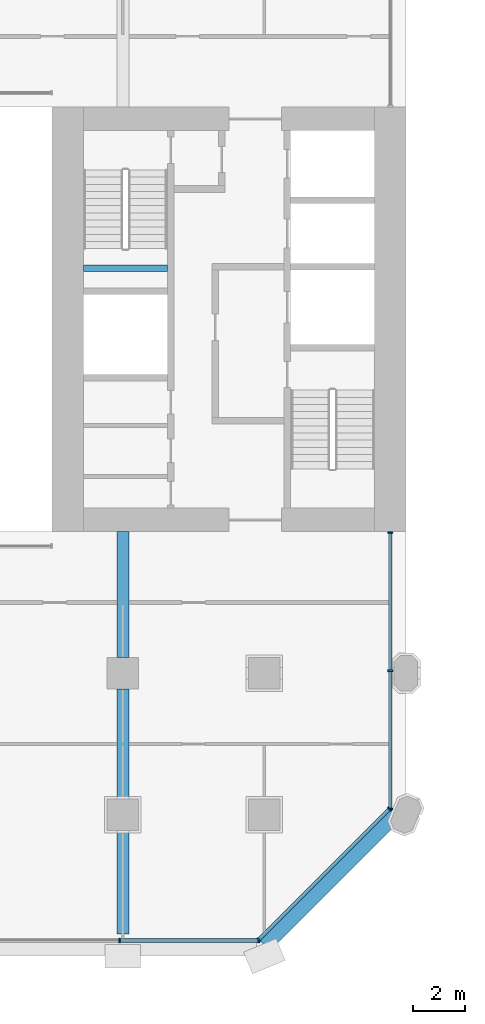
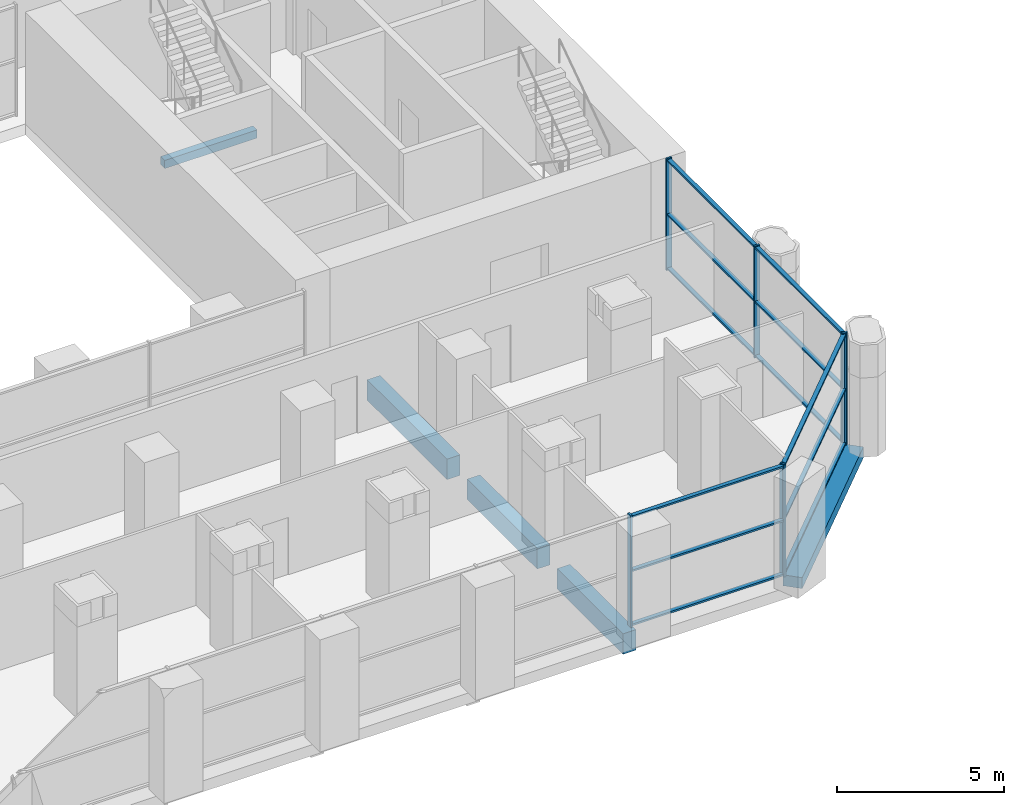
# One storey, part 6 of 23: 19 members, 5 beams, 3 elements without a shape of their own.
"""IFC4 building model written with IfcOpenShell, lengths in metres."""

import ifcopenshell
import ifcopenshell.guid

model = None  # the IFC model being written
_history = None  # IfcOwnerHistory: only IFC2X3 demands one
_inside = {}  # id of a spatial element -> (the spatial element, [elements in it])
_under = {}  # id of a project, library or spatial element -> (it, [spatial elements below it])
_declared = {}  # id of a project -> (the project, [libraries it declares])
_typed = {}  # id of a type object -> (the type object, [elements of that type])
_made_of = {}  # id of a material, layer set ... -> (it, [elements and type objects made of it])


def new_model(schema):
    """Start an empty IFC model of exactly this schema.

    Asked for "IFC4X3", IfcOpenShell would pick the latest addendum, in which some entities
    have other attributes; the version numbers below select the first issue.
    IFC2X3 requires an IfcOwnerHistory on every rooted entity: one is made here for all.
    """
    global model, _history
    if schema == "IFC4X3":
        model = ifcopenshell.file(schema_version=(4, 3, 0, 0))
    else:
        model = ifcopenshell.file(schema=schema)
    _inside.clear()
    _under.clear()
    _declared.clear()
    _typed.clear()
    _made_of.clear()
    _history = None
    if model.schema == "IFC2X3":
        org = make("IfcOrganization", Name="unknown")
        user = make(
            "IfcPersonAndOrganization",
            ThePerson=make("IfcPerson", FamilyName="unknown"),
            TheOrganization=org,
        )
        app = make(
            "IfcApplication",
            ApplicationDeveloper=org,
            Version="unknown",
            ApplicationFullName="unknown",
            ApplicationIdentifier="unknown",
        )
        _history = make(
            "IfcOwnerHistory",
            OwningUser=user,
            OwningApplication=app,
            ChangeAction="ADDED",
            CreationDate=0,
        )
    return model


def make(cls, **values):
    """One entity of the class cls with the attributes given. An attribute that is None is left unset."""
    return model.create_entity(
        cls, **{name: value for name, value in values.items() if value is not None}
    )


def rooted(cls, **values):
    """An entity with a GlobalId (a new one), such as an element, a storey or a relation."""
    return make(cls, GlobalId=ifcopenshell.guid.new(), OwnerHistory=_history, **values)


def si_unit(unit_type, name, prefix=None):
    """IfcSIUnit, for example si_unit("LENGTHUNIT", "METRE", prefix="MILLI")."""
    return make("IfcSIUnit", UnitType=unit_type, Prefix=prefix, Name=name)


def assignment(units):
    """IfcUnitAssignment: the units of a project."""
    return None if units is None else make("IfcUnitAssignment", Units=units)


def point(xyz):
    """IfcCartesianPoint."""
    return None if xyz is None else make("IfcCartesianPoint", Coordinates=xyz)


def direction(xyz):
    """IfcDirection."""
    return None if xyz is None else make("IfcDirection", DirectionRatios=xyz)


def frame(location, z_axis=None, x_axis=None):
    """IfcAxis2Placement3D, a coordinate frame: its origin and axes. An axis left out is left unset."""
    return make(
        "IfcAxis2Placement3D",
        Location=point(location),
        Axis=direction(z_axis),
        RefDirection=direction(x_axis),
    )


def frame_2d(location, x_axis=None):
    """IfcAxis2Placement2D, a coordinate frame in the plane: its origin and x axis."""
    return make(
        "IfcAxis2Placement2D", Location=point(location), RefDirection=direction(x_axis)
    )


def origin():
    """The frame at (0, 0, 0) with its axes left unset."""
    return frame((0.0, 0.0, 0.0))


def origin_2d():
    """The frame at (0, 0) in the plane with its x axis left unset."""
    return frame_2d((0.0, 0.0))


def place(relative_to, where):
    """IfcLocalPlacement: puts the frame where relative to a parent placement (None: the world)."""
    return make(
        "IfcLocalPlacement", PlacementRelTo=relative_to, RelativePlacement=where
    )


def context(
    kind, dimensions, precision=None, world=None, true_north=None, identifier=None
):
    """IfcGeometricRepresentationContext, for example the 3D "Model" context."""
    return make(
        "IfcGeometricRepresentationContext",
        ContextIdentifier=identifier,
        ContextType=kind,
        CoordinateSpaceDimension=dimensions,
        Precision=precision,
        WorldCoordinateSystem=world,
        TrueNorth=true_north,
    )


def subcontext(parent, identifier, kind, view, scale=None):
    """IfcGeometricRepresentationSubContext, for example "Body" below "Model"."""
    return make(
        "IfcGeometricRepresentationSubContext",
        ContextIdentifier=identifier,
        ContextType=kind,
        ParentContext=parent,
        TargetScale=scale,
        TargetView=view,
    )


def project(units=None, contexts=None):
    """IfcProject with its units and contexts."""
    return rooted(
        "IfcProject",
        Name="project",
        RepresentationContexts=contexts,
        UnitsInContext=assignment(units),
    )


def spatial(cls, under=None, at=None, **own):
    """A site, building, storey or space (cls), placed at a placement, below another one or the project."""
    s = rooted(cls, ObjectPlacement=at, **own)
    if under is not None:
        _under.setdefault(under.id(), (under, []))[1].append(s)
    return s


def profile(cls, at=None, kind="AREA", **sizes):
    """A parametric profile (cls). Its sizes go by their IFC names, for example OverallWidth=200.0."""
    return make(cls, ProfileType=kind, Position=at, **sizes)


def rectangle(**sizes):
    """IfcRectangleProfileDef."""
    return profile("IfcRectangleProfileDef", **sizes)


def extrude(swept, where, along, depth):
    """IfcExtrudedAreaSolid: the profile swept, set in the frame where, extruded along a direction by depth."""
    return make(
        "IfcExtrudedAreaSolid",
        SweptArea=swept,
        Position=where,
        ExtrudedDirection=direction(along),
        Depth=depth,
    )


def shape(context_of_items, identifier, shape_type, items):
    """IfcShapeRepresentation: the items that make up one representation, for example the "Body"."""
    return make(
        "IfcShapeRepresentation",
        ContextOfItems=context_of_items,
        RepresentationIdentifier=identifier,
        RepresentationType=shape_type,
        Items=items,
    )


def material(Name=None, Category=None):
    """IfcMaterial."""
    return make("IfcMaterial", Name=Name, Category=Category)


def material_profile(
    of_material, cross_section, Name=None, Category=None, Priority=None
):
    """IfcMaterialProfile: a cross section and its material."""
    return make(
        "IfcMaterialProfile",
        Name=Name,
        Material=of_material,
        Profile=cross_section,
        Priority=Priority,
        Category=Category,
    )


def profile_set(profiles, Name=None, composite=None):
    """IfcMaterialProfileSet."""
    return make(
        "IfcMaterialProfileSet",
        Name=Name,
        MaterialProfiles=profiles,
        CompositeProfile=composite,
    )


def made_of(thing, what):
    """Note that an element or type object is made of a material, layer set ...; save() writes the relation."""
    if what is not None:
        _made_of.setdefault(what.id(), (what, []))[1].append(thing)
    return thing


def type_object(cls, material=None, **own):
    """A type object (cls), such as IfcWallType, which elements share."""
    return made_of(rooted(cls, **own), material)


def element(
    cls,
    number,
    at=None,
    inside=None,
    cuts=None,
    type_object=None,
    material=None,
    context=None,
    identifier="Body",
    shape_type=None,
    held_by="IfcProductDefinitionShape",
    body=None,
    shapes=None,
    **own,
):
    """One element of the class cls, such as IfcWall. Its Tag is "e" and its number.

    at: its placement. inside: the storey or other place that contains it. cuts: it is an
    opening in that element (IfcRelVoidsElement). A single representation is given by context,
    identifier, shape_type and body (its items); several are given by shapes. held_by: the class
    of the entity that holds the representations. save() writes the other relations.
    """
    e = rooted(cls, Tag="e%d" % number, ObjectPlacement=at, **own)
    if body is not None:
        shapes = [shape(context, identifier, shape_type, body)]
    if shapes is not None:
        e.Representation = make(held_by, Representations=shapes)
    if inside is not None:
        _inside.setdefault(inside.id(), (inside, []))[1].append(e)
    if cuts is not None:
        rooted(
            "IfcRelVoidsElement", RelatingBuildingElement=cuts, RelatedOpeningElement=e
        )
    if type_object is not None:
        _typed.setdefault(type_object.id(), (type_object, []))[1].append(e)
    return made_of(e, material)


def aggregate(whole, parts):
    """IfcRelAggregates: a whole, such as a stair, and the parts it consists of."""
    return rooted("IfcRelAggregates", RelatingObject=whole, RelatedObjects=parts)


def save(model, path):
    """Write the relations noted so far, then the file.

    IfcRelAggregates (storeys below a building ...), IfcRelContainedInSpatialStructure (elements
    in a storey), IfcRelDefinesByType, IfcRelAssociatesMaterial and IfcRelDeclares: one each for
    every whole, place, type object, material and project.
    """
    for whole, parts in _under.values():
        aggregate(whole, parts)
    for where, things in _inside.values():
        rooted(
            "IfcRelContainedInSpatialStructure",
            RelatedElements=things,
            RelatingStructure=where,
        )
    for kind, things in _typed.values():
        rooted("IfcRelDefinesByType", RelatedObjects=things, RelatingType=kind)
    for what, things in _made_of.values():
        rooted("IfcRelAssociatesMaterial", RelatedObjects=things, RelatingMaterial=what)
    for by, libraries in _declared.values():
        rooted("IfcRelDeclares", RelatingContext=by, RelatedDefinitions=libraries)
    model.write(path)


model = new_model("IFC4")

# Units and contexts
model_context = context("Model", 3, precision=1e-05, world=origin(), true_north=direction((0.0, 1.0)))
body_context = subcontext(model_context, "Body", "Model", "MODEL_VIEW")
ifc_project = project(units=[si_unit("LENGTHUNIT", "METRE"), si_unit("AREAUNIT", "SQUARE_METRE"), si_unit("VOLUMEUNIT", "CUBIC_METRE"), si_unit("PLANEANGLEUNIT", "RADIAN"), si_unit("MASSUNIT", "GRAM", prefix="KILO")], contexts=[model_context])

# Site, building, storey
site_placement = place(None, origin())
site = spatial("IfcSite", under=ifc_project, at=site_placement, CompositionType="ELEMENT")
building_placement = place(site_placement, origin())
building = spatial("IfcBuilding", under=site, at=building_placement, Name="Tabaq Tower and Sports Hall", CompositionType="ELEMENT")
storey_placement = place(building_placement, frame((0.0, 0.0, 24.60009765625)))
storey = spatial("IfcBuildingStorey", under=building, at=storey_placement, Name="L04", CompositionType="ELEMENT", Elevation=24.60009765625)

# Curtain wall, members
ifc_material_1 = material(Name="Aluminium alloy 6063-T6 framed glazing", Category="aluminium")
curtain_wall_type = type_object("IfcCurtainWallType", Name="CW7 curtain wall", PredefinedType="USERDEFINED", material=ifc_material_1)
curtain_wall_1_placement = place(storey_placement, origin())
curtain_wall_1 = element("IfcCurtainWall", 1, at=curtain_wall_1_placement, inside=storey, type_object=curtain_wall_type, Name="Podium Wall L04 S", ObjectType="PODIUM WALL", PredefinedType="USERDEFINED")
ifc_material_2 = material(Name="Aluminium alloy 6063-T6", Category="aluminium")
ifc_material_profile_1 = material_profile(ifc_material_2, rectangle(XDim=0.179931640625, YDim=0.06494140625, at=origin_2d()), Name="MULLION 180x65")
ifc_profile_set_1 = profile_set([ifc_material_profile_1], Name="Aluminium alloy 6063-T6")
member_type_1 = type_object("IfcMemberType", Name="CW7 mullion 180x65", PredefinedType="MULLION", material=ifc_profile_set_1)
member_1_placement = place(storey_placement, frame((32.275634765625, 0.60009765625, 0.0), z_axis=(0.0, 0.0, 1.0), x_axis=(0.0, 1.0, 0.0)))
member_1 = element("IfcMember", 2, at=member_1_placement, type_object=member_type_1, Name="CW7 mullion 6", PredefinedType="MULLION", context=body_context, shape_type="SweptSolid", body=[
    extrude(rectangle(XDim=0.179931640625, YDim=0.06494140625, at=origin_2d()), origin(), (0.0, 0.0, 1.0), 4.099853515625),
])
member_2_placement = place(storey_placement, frame((37.5810546875, 0.60009765625, 0.0), z_axis=(0.0, 0.0, 1.0), x_axis=(0.0, 1.0, 0.0)))
member_2 = element("IfcMember", 3, at=member_2_placement, type_object=member_type_1, Name="CW7 mullion 7", PredefinedType="MULLION", context=body_context, shape_type="SweptSolid", body=[
    extrude(rectangle(XDim=0.179931640625, YDim=0.06494140625, at=origin_2d()), origin(), (0.0, 0.0, 1.0), 4.099853515625),
])

curtain_wall_2_placement = place(storey_placement, origin())
curtain_wall_2 = element("IfcCurtainWall", 4, at=curtain_wall_2_placement, inside=storey, type_object=curtain_wall_type, Name="Podium Wall L04 SE", ObjectType="PODIUM WALL", PredefinedType="USERDEFINED")
member_3_placement = place(storey_placement, frame((37.574462890625, 0.623046875, 0.0), z_axis=(0.0, 0.0, 1.0), x_axis=(-0.707106781187, 0.707106781187, 0.0)))
member_3 = element("IfcMember", 5, at=member_3_placement, type_object=member_type_1, Name="CW7 mullion 1", PredefinedType="MULLION", context=body_context, shape_type="SweptSolid", body=[
    extrude(rectangle(XDim=0.179931640625, YDim=0.06494140625, at=origin_2d()), origin(), (0.0, 0.0, 1.0), 4.099853515625),
])
member_4_placement = place(storey_placement, frame((42.576904296875, 5.62548828125, 0.0), z_axis=(0.0, 0.0, 1.0), x_axis=(-0.707106781187, 0.707106781187, 0.0)))
member_4 = element("IfcMember", 6, at=member_4_placement, type_object=member_type_1, Name="CW7 mullion 2", PredefinedType="MULLION", context=body_context, shape_type="SweptSolid", body=[
    extrude(rectangle(XDim=0.179931640625, YDim=0.06494140625, at=origin_2d()), origin(), (0.0, 0.0, 1.0), 4.099853515625),
])

curtain_wall_3_placement = place(storey_placement, origin())
curtain_wall_3 = element("IfcCurtainWall", 7, at=curtain_wall_3_placement, inside=storey, type_object=curtain_wall_type, Name="Podium Wall L04 E", ObjectType="PODIUM WALL", PredefinedType="USERDEFINED")
member_5_placement = place(storey_placement, frame((42.60009765625, 5.618896484375, 0.0), z_axis=(0.0, 0.0, 1.0), x_axis=(-1.0, 0.0, 0.0)))
member_5 = element("IfcMember", 8, at=member_5_placement, type_object=member_type_1, Name="CW7 mullion 1", PredefinedType="MULLION", context=body_context, shape_type="SweptSolid", body=[
    extrude(rectangle(XDim=0.179931640625, YDim=0.06494140625, at=origin_2d()), origin(), (0.0, 0.0, 1.0), 4.099853515625),
])
member_6_placement = place(storey_placement, frame((42.60009765625, 10.893310546875, 0.0), z_axis=(0.0, 0.0, 1.0), x_axis=(-1.0, 0.0, 0.0)))
member_6 = element("IfcMember", 9, at=member_6_placement, type_object=member_type_1, Name="CW7 mullion 2", PredefinedType="MULLION", context=body_context, shape_type="SweptSolid", body=[
    extrude(rectangle(XDim=0.179931640625, YDim=0.06494140625, at=origin_2d()), origin(), (0.0, 0.0, 1.0), 4.099853515625),
])
member_7_placement = place(storey_placement, frame((42.60009765625, 16.16748046875, 0.0), z_axis=(0.0, 0.0, 1.0), x_axis=(-1.0, 0.0, 0.0)))
member_7 = element("IfcMember", 10, at=member_7_placement, type_object=member_type_1, Name="CW7 mullion 3", PredefinedType="MULLION", context=body_context, shape_type="SweptSolid", body=[
    extrude(rectangle(XDim=0.179931640625, YDim=0.06494140625, at=origin_2d()), origin(), (0.0, 0.0, 1.0), 4.099853515625),
])

# Member
ifc_material_3 = material(Name="Aluminium alloy 6063-T6", Category="aluminium")
ifc_material_profile_2 = material_profile(ifc_material_3, rectangle(XDim=0.139892578125, YDim=0.06494140625, at=origin_2d()), Name="TRANSOM 140x65")
ifc_profile_set_2 = profile_set([ifc_material_profile_2], Name="Aluminium alloy 6063-T6")
member_type_2 = type_object("IfcMemberType", Name="CW7 transom 140x65", PredefinedType="USERDEFINED", material=ifc_profile_set_2)
member_8_placement = place(storey_placement, frame((32.308349609375, 0.60009765625, 0.06982421875), z_axis=(1.0, 0.0, 0.0), x_axis=(0.0, 1.0, 0.0)))
member_8 = element("IfcMember", 11, at=member_8_placement, type_object=member_type_2, Name="CW7 transom 6.1", ObjectType="TRANSOM", PredefinedType="USERDEFINED", context=body_context, shape_type="SweptSolid", body=[
    extrude(rectangle(XDim=0.139892578125, YDim=0.06494140625, at=origin_2d()), origin(), (0.0, 0.0, 1.0), 5.240234375),
])

member_9_placement = place(storey_placement, frame((32.308349609375, 0.60009765625, 2.0498046875), z_axis=(1.0, 0.0, 0.0), x_axis=(0.0, 1.0, 0.0)))
member_9 = element("IfcMember", 12, at=member_9_placement, type_object=member_type_2, Name="CW7 transom 6.2", ObjectType="TRANSOM", PredefinedType="USERDEFINED", context=body_context, shape_type="SweptSolid", body=[
    extrude(rectangle(XDim=0.139892578125, YDim=0.06494140625, at=origin_2d()), origin(), (0.0, 0.0, 1.0), 5.240234375),
])

member_10_placement = place(storey_placement, frame((32.308349609375, 0.60009765625, 4.02978515625), z_axis=(1.0, 0.0, 0.0), x_axis=(0.0, 1.0, 0.0)))
member_10 = element("IfcMember", 13, at=member_10_placement, type_object=member_type_2, Name="CW7 transom 6.3", ObjectType="TRANSOM", PredefinedType="USERDEFINED", context=body_context, shape_type="SweptSolid", body=[
    extrude(rectangle(XDim=0.139892578125, YDim=0.06494140625, at=origin_2d()), origin(), (0.0, 0.0, 1.0), 5.240234375),
])

aggregate(curtain_wall_1, [member_1, member_2, member_8, member_9, member_10])

member_11_placement = place(storey_placement, frame((37.597412109375, 0.64599609375, 0.06982421875), z_axis=(0.707106781187, 0.707106781187, 0.0), x_axis=(-0.707106781187, 0.707106781187, 0.0)))
member_11 = element("IfcMember", 14, at=member_11_placement, type_object=member_type_2, Name="CW7 transom 1.1", ObjectType="TRANSOM", PredefinedType="USERDEFINED", context=body_context, shape_type="SweptSolid", body=[
    extrude(rectangle(XDim=0.139892578125, YDim=0.06494140625, at=origin_2d()), origin(), (0.0, 0.0, 1.0), 7.009521484375),
])

member_12_placement = place(storey_placement, frame((37.597412109375, 0.64599609375, 2.0498046875), z_axis=(0.707106781187, 0.707106781187, 0.0), x_axis=(-0.707106781187, 0.707106781187, 0.0)))
member_12 = element("IfcMember", 15, at=member_12_placement, type_object=member_type_2, Name="CW7 transom 1.2", ObjectType="TRANSOM", PredefinedType="USERDEFINED", context=body_context, shape_type="SweptSolid", body=[
    extrude(rectangle(XDim=0.139892578125, YDim=0.06494140625, at=origin_2d()), origin(), (0.0, 0.0, 1.0), 7.009521484375),
])

member_13_placement = place(storey_placement, frame((37.597412109375, 0.64599609375, 4.02978515625), z_axis=(0.707106781187, 0.707106781187, 0.0), x_axis=(-0.707106781187, 0.707106781187, 0.0)))
member_13 = element("IfcMember", 16, at=member_13_placement, type_object=member_type_2, Name="CW7 transom 1.3", ObjectType="TRANSOM", PredefinedType="USERDEFINED", context=body_context, shape_type="SweptSolid", body=[
    extrude(rectangle(XDim=0.139892578125, YDim=0.06494140625, at=origin_2d()), origin(), (0.0, 0.0, 1.0), 7.009521484375),
])

aggregate(curtain_wall_2, [member_3, member_4, member_11, member_12, member_13])

member_14_placement = place(storey_placement, frame((42.60009765625, 5.6513671875, 0.06982421875), z_axis=(0.0, 1.0, 0.0), x_axis=(-1.0, 0.0, 0.0)))
member_14 = element("IfcMember", 17, at=member_14_placement, type_object=member_type_2, Name="CW7 transom 1.1", ObjectType="TRANSOM", PredefinedType="USERDEFINED", context=body_context, shape_type="SweptSolid", body=[
    extrude(rectangle(XDim=0.139892578125, YDim=0.06494140625, at=origin_2d()), origin(), (0.0, 0.0, 1.0), 5.209228515625),
])

member_15_placement = place(storey_placement, frame((42.60009765625, 5.6513671875, 2.0498046875), z_axis=(0.0, 1.0, 0.0), x_axis=(-1.0, 0.0, 0.0)))
member_15 = element("IfcMember", 18, at=member_15_placement, type_object=member_type_2, Name="CW7 transom 1.2", ObjectType="TRANSOM", PredefinedType="USERDEFINED", context=body_context, shape_type="SweptSolid", body=[
    extrude(rectangle(XDim=0.139892578125, YDim=0.06494140625, at=origin_2d()), origin(), (0.0, 0.0, 1.0), 5.209228515625),
])

member_16_placement = place(storey_placement, frame((42.60009765625, 5.6513671875, 4.02978515625), z_axis=(0.0, 1.0, 0.0), x_axis=(-1.0, 0.0, 0.0)))
member_16 = element("IfcMember", 19, at=member_16_placement, type_object=member_type_2, Name="CW7 transom 1.3", ObjectType="TRANSOM", PredefinedType="USERDEFINED", context=body_context, shape_type="SweptSolid", body=[
    extrude(rectangle(XDim=0.139892578125, YDim=0.06494140625, at=origin_2d()), origin(), (0.0, 0.0, 1.0), 5.209228515625),
])

member_17_placement = place(storey_placement, frame((42.60009765625, 10.92578125, 0.06982421875), z_axis=(0.0, 1.0, 0.0), x_axis=(-1.0, 0.0, 0.0)))
member_17 = element("IfcMember", 20, at=member_17_placement, type_object=member_type_2, Name="CW7 transom 2.1", ObjectType="TRANSOM", PredefinedType="USERDEFINED", context=body_context, shape_type="SweptSolid", body=[
    extrude(rectangle(XDim=0.139892578125, YDim=0.06494140625, at=origin_2d()), origin(), (0.0, 0.0, 1.0), 5.209228515625),
])

member_18_placement = place(storey_placement, frame((42.60009765625, 10.92578125, 2.0498046875), z_axis=(0.0, 1.0, 0.0), x_axis=(-1.0, 0.0, 0.0)))
member_18 = element("IfcMember", 21, at=member_18_placement, type_object=member_type_2, Name="CW7 transom 2.2", ObjectType="TRANSOM", PredefinedType="USERDEFINED", context=body_context, shape_type="SweptSolid", body=[
    extrude(rectangle(XDim=0.139892578125, YDim=0.06494140625, at=origin_2d()), origin(), (0.0, 0.0, 1.0), 5.209228515625),
])

member_19_placement = place(storey_placement, frame((42.60009765625, 10.92578125, 4.02978515625), z_axis=(0.0, 1.0, 0.0), x_axis=(-1.0, 0.0, 0.0)))
member_19 = element("IfcMember", 22, at=member_19_placement, type_object=member_type_2, Name="CW7 transom 2.3", ObjectType="TRANSOM", PredefinedType="USERDEFINED", context=body_context, shape_type="SweptSolid", body=[
    extrude(rectangle(XDim=0.139892578125, YDim=0.06494140625, at=origin_2d()), origin(), (0.0, 0.0, 1.0), 5.209228515625),
])

aggregate(curtain_wall_3, [member_5, member_6, member_7, member_14, member_15, member_16, member_17, member_18, member_19])

# Beams
ifc_material_4 = material(Name="Concrete C40/50", Category="concrete")
ifc_material_profile_3 = material_profile(ifc_material_4, rectangle(XDim=0.449951171875, YDim=0.75, at=origin_2d()), Name="CB 450x750")
ifc_profile_set_3 = profile_set([ifc_material_profile_3], Name="Concrete C40/50")
beam_type_1 = type_object("IfcBeamType", Name="PT CANTILEVER BEAM CB 450x750 C40/50", PredefinedType="BEAM", material=ifc_profile_set_3)
beam_1_placement = place(storey_placement, frame((32.39990234375, 0.85009765625, -0.775146484375), z_axis=(0.0, 1.0, 0.0), x_axis=(-1.0, 0.0, 0.0)))
element("IfcBeam", 23, at=beam_1_placement, inside=storey, type_object=beam_type_1, Name="Cantilever Beam L04 S6 span 1", PredefinedType="BEAM", context=body_context, shape_type="SweptSolid", body=[
    extrude(rectangle(XDim=0.449951171875, YDim=0.75, at=origin_2d()), origin(), (0.0, 0.0, 1.0), 3.949951171875),
])
beam_2_placement = place(storey_placement, frame((32.39990234375, 6.0, -0.775146484375), z_axis=(0.0, 1.0, 0.0), x_axis=(-1.0, 0.0, 0.0)))
element("IfcBeam", 24, at=beam_2_placement, inside=storey, type_object=beam_type_1, Name="Cantilever Beam L04 S6 span 2", PredefinedType="BEAM", context=body_context, shape_type="SweptSolid", body=[
    extrude(rectangle(XDim=0.449951171875, YDim=0.75, at=origin_2d()), origin(), (0.0, 0.0, 1.0), 4.199951171875),
])
beam_3_placement = place(storey_placement, frame((32.39990234375, 11.39990234375, -0.775146484375), z_axis=(0.0, 1.0, 0.0), x_axis=(-1.0, 0.0, 0.0)))
element("IfcBeam", 25, at=beam_3_placement, inside=storey, type_object=beam_type_1, Name="Cantilever Beam L04 S6 span 3", PredefinedType="BEAM", context=body_context, shape_type="SweptSolid", body=[
    extrude(rectangle(XDim=0.449951171875, YDim=0.75, at=origin_2d()), origin(), (0.0, 0.0, 1.0), 4.800048828125),
])
ifc_material_5 = material(Name="Concrete C40/50", Category="concrete")
ifc_material_profile_4 = material_profile(ifc_material_5, rectangle(XDim=0.60009765625, YDim=0.39990234375, at=origin_2d()), Name="EB 600x400")
ifc_profile_set_4 = profile_set([ifc_material_profile_4], Name="Concrete C40/50")
beam_type_2 = type_object("IfcBeamType", Name="PT EDGE BEAM EB 600x400 C40/50", PredefinedType="SPANDREL", material=ifc_profile_set_4)
beam_4_placement = place(storey_placement, frame((37.799072265625, 0.42333984375, -0.2001953125), z_axis=(0.707106781187, 0.707106781187, 0.0), x_axis=(-0.707106781187, 0.707106781187, 0.0)))
element("IfcBeam", 26, at=beam_4_placement, inside=storey, type_object=beam_type_2, Name="Edge Beam L04 2", PredefinedType="SPANDREL", context=body_context, shape_type="SweptSolid", body=[
    extrude(rectangle(XDim=0.60009765625, YDim=0.39990234375, at=origin_2d()), origin(), (0.0, 0.0, 1.0), 7.087890625),
])
ifc_material_6 = material(Name="Concrete C40/50", Category="concrete")
ifc_material_profile_5 = material_profile(ifc_material_6, rectangle(XDim=0.25, YDim=0.300048828125, at=origin_2d()), Name="RC 250x300")
ifc_profile_set_5 = profile_set([ifc_material_profile_5], Name="Concrete C40/50")
beam_type_3 = type_object("IfcBeamType", Name="Stair landing beam 250x300", PredefinedType="BEAM", material=ifc_profile_set_5)
beam_5_placement = place(storey_placement, frame((30.89990234375, 26.25, 1.89990234375), z_axis=(1.0, 0.0, 0.0), x_axis=(0.0, 1.0, 0.0)))
element("IfcBeam", 27, at=beam_5_placement, inside=storey, type_object=beam_type_3, Name="L04 ST4 landing beam 1", PredefinedType="BEAM", context=body_context, shape_type="SweptSolid", body=[
    extrude(rectangle(XDim=0.25, YDim=0.300048828125, at=origin_2d()), origin(), (0.0, 0.0, 1.0), 3.2001953125),
])

save(model, "model.ifc")
